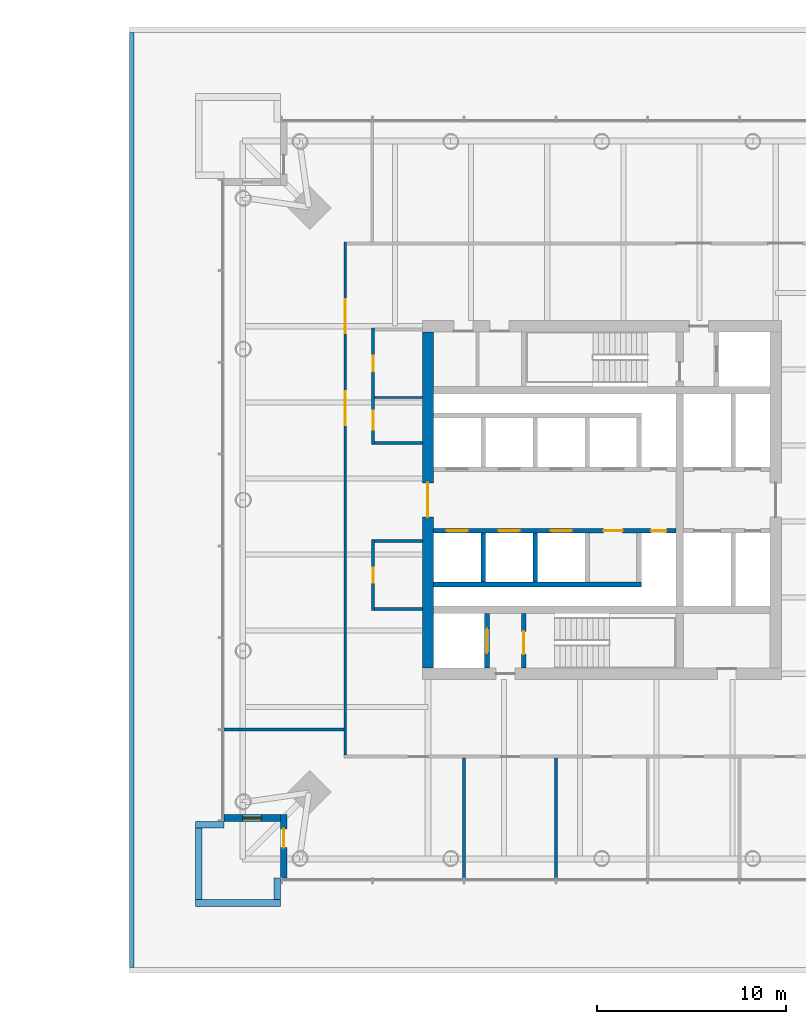
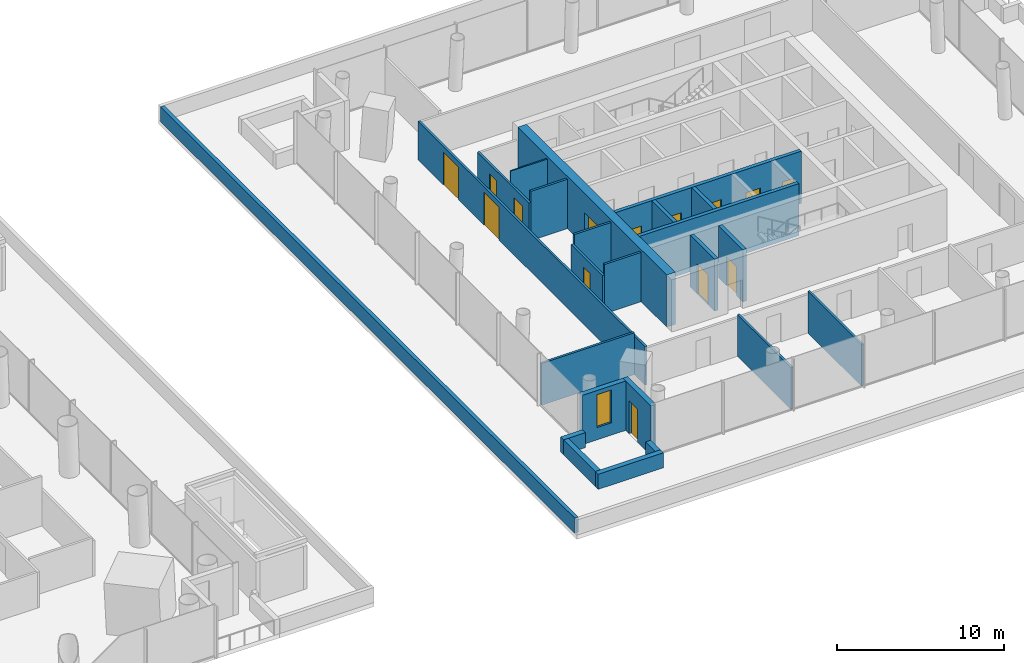
# One storey, part 13 of 19: 24 walls, 14 doors, 1 window, 15 openings.
"""IFC4 building model written with IfcOpenShell, lengths in metres."""

from ifc_helpers import new_model, si_unit, direction, frame, frame_2d, origin, place, context, subcontext, project, spatial, rectangle, extrude, material, layer, layer_set, type_object, element, fill, save


model = new_model("IFC4")

# Units and contexts
model_context = context("Model", 3, precision=1e-05, world=origin(), true_north=direction((0.0, 1.0)))
body_context = subcontext(model_context, "Body", "Model", "MODEL_VIEW")
ifc_project = project(units=[si_unit("LENGTHUNIT", "METRE"), si_unit("AREAUNIT", "SQUARE_METRE"), si_unit("VOLUMEUNIT", "CUBIC_METRE"), si_unit("PLANEANGLEUNIT", "RADIAN"), si_unit("MASSUNIT", "GRAM", prefix="KILO")], contexts=[model_context])

# Site, building, storey
site_placement = place(None, origin())
site = spatial("IfcSite", under=ifc_project, at=site_placement, CompositionType="ELEMENT")
building_placement = place(site_placement, origin())
building = spatial("IfcBuilding", under=site, at=building_placement, Name="Ostroluk Exchange", CompositionType="ELEMENT")
storey_placement = place(building_placement, frame((0.0, 0.0, 21.0)))
storey = spatial("IfcBuildingStorey", under=building, at=storey_placement, Name="L04", CompositionType="ELEMENT", Elevation=21.0)

# Wall
ifc_material_1 = material(Name="Concrete blockwork", Category="masonry")
ifc_layer_1 = layer(ifc_material_1, 0.10009765625)
ifc_layer_set_1 = layer_set([ifc_layer_1], Name="Blockwork WC wall 100")
wall_type_1 = type_object("IfcWallType", Name="Blockwork WC wall 100", PredefinedType="SOLIDWALL", material=ifc_layer_set_1)
wall_1_placement = place(storey_placement, frame((104.97509765625, 51.425048828125, 0.0), z_axis=(0.0, 0.0, 1.0), x_axis=(1.0, 0.0, 0.0)))
element("IfcWall", 1, at=wall_1_placement, inside=storey, type_object=wall_type_1, Name="Blockwork WC wall", PredefinedType="SOLIDWALL", context=body_context, shape_type="SweptSolid", body=[
    extrude(rectangle(XDim=2.52490234375, YDim=0.10009765625, at=frame_2d((1.262451171875, 0.0))), origin(), (0.0, 0.0, 1.0), 3.60009765625),
])

# Wall, opening, door
ifc_material_2 = material(Name="Concrete C40/50", Category="concrete")
ifc_layer_2 = layer(ifc_material_2, 0.25)
ifc_layer_set_2 = layer_set([ifc_layer_2], Name="Core shaft wall 250")
wall_type_2 = type_object("IfcWallType", Name="Core shaft wall 250", PredefinedType="SHEAR", material=ifc_layer_set_2)
wall_2_placement = place(storey_placement, frame((110.925048828125, 37.10009765625, 0.0), z_axis=(0.0, 0.0, 1.0), x_axis=(0.0, 1.0, 0.0)))
wall_2 = element("IfcWall", 2, at=wall_2_placement, inside=storey, type_object=wall_type_2, Name="Firefighting lift shaft wall", PredefinedType="SHEAR", context=body_context, shape_type="SweptSolid", body=[
    extrude(rectangle(XDim=2.89990234375, YDim=0.25, at=frame_2d((1.449951171875, 0.0))), origin(), (0.0, 0.0, 1.0), 3.800048828125),
])
opening_1_placement = place(wall_2_placement, frame((0.800048828125, 0.0, 0.0)))
opening_1 = element("IfcOpeningElement", 3, at=opening_1_placement, cuts=wall_2, Name="Opening LD2", PredefinedType="OPENING", context=body_context, shape_type="SweptSolid", body=[
    extrude(rectangle(XDim=1.300048828125, YDim=2.199951171875, at=frame_2d((0.64990234375, 1.10009765625))), frame((0.0, 0.135009765625, 0.0), z_axis=(0.0, -1.0, 0.0), x_axis=(1.0, 0.0, 0.0)), (0.0, 0.0, 1.0), 0.27001953125),
])
ifc_material_3 = material(Name="Stainless steel", Category="steel")
door_type_1 = type_object("IfcDoorType", Name="Lift landing door E 60 1300 x 2200", OperationType="DOUBLE_DOOR_SLIDING", PredefinedType="DOOR", material=ifc_material_3)
door_1_placement = place(opening_1_placement, origin())
door_1 = element("IfcDoor", 4, at=door_1_placement, inside=storey, type_object=door_type_1, Name="Lift HF1 landing door", OperationType="DOUBLE_DOOR_SLIDING", OverallHeight=2.199951171875, OverallWidth=1.300048828125, PredefinedType="DOOR", context=body_context, shape_type="SweptSolid", body=[
    extrude(rectangle(XDim=1.300048828125, YDim=2.199951171875, at=frame_2d((0.64990234375, 1.10009765625))), frame((0.0, 0.02490234375, 0.0), z_axis=(0.0, -1.0, 0.0), x_axis=(1.0, 0.0, 0.0)), (0.0, 0.0, 1.0), 0.050048828125),
])
fill(opening_1, door_1)

wall_3_placement = place(storey_placement, frame((112.875, 37.10009765625, 0.0), z_axis=(0.0, 0.0, 1.0), x_axis=(0.0, 1.0, 0.0)))
wall_3 = element("IfcWall", 5, at=wall_3_placement, inside=storey, type_object=wall_type_2, Name="Stair shaft wall", PredefinedType="SHEAR", context=body_context, shape_type="SweptSolid", body=[
    extrude(rectangle(XDim=2.89990234375, YDim=0.25, at=frame_2d((1.449951171875, 0.0))), origin(), (0.0, 0.0, 1.0), 3.800048828125),
])
opening_2_placement = place(wall_3_placement, frame((0.75, 0.0, 0.0)))
opening_2 = element("IfcOpeningElement", 6, at=opening_2_placement, cuts=wall_3, Name="Opening FD60S", PredefinedType="OPENING", context=body_context, shape_type="SweptSolid", body=[
    extrude(rectangle(XDim=1.199951171875, YDim=2.10009765625, at=frame_2d((0.60009765625, 1.050048828125))), frame((0.0, 0.135009765625, 0.0), z_axis=(0.0, -1.0, 0.0), x_axis=(1.0, 0.0, 0.0)), (0.0, 0.0, 1.0), 0.27001953125),
])
ifc_material_4 = material(Name="Steel", Category="steel")
door_type_2 = type_object("IfcDoorType", Name="Stair door EI 60 1200 x 2100", OperationType="SINGLE_SWING_LEFT", PredefinedType="DOOR", material=ifc_material_4)
door_2_placement = place(opening_2_placement, origin())
door_2 = element("IfcDoor", 7, at=door_2_placement, inside=storey, type_object=door_type_2, Name="Stair T2-S1 door", OperationType="SINGLE_SWING_LEFT", OverallHeight=2.10009765625, OverallWidth=1.199951171875, PredefinedType="DOOR", context=body_context, shape_type="SweptSolid", body=[
    extrude(rectangle(XDim=1.199951171875, YDim=2.10009765625, at=frame_2d((0.60009765625, 1.050048828125))), frame((0.0, 0.02490234375, 0.0), z_axis=(0.0, -1.0, 0.0), x_axis=(1.0, 0.0, 0.0)), (0.0, 0.0, 1.0), 0.050048828125),
])
fill(opening_2, door_2)

# Walls
for number, where, z_axis, x_axis, name in (
    (8, (110.72509765625, 44.25, 0.0), (0.0, 0.0, 1.0), (0.0, -1.0, 0.0), "Lift shaft wall"),
    (9, (113.47509765625, 44.25, 0.0), (0.0, 0.0, 1.0), (0.0, -1.0, 0.0), "Lift shaft wall"),
):
    element("IfcWall", number, at=place(storey_placement, frame(where, z_axis=z_axis, x_axis=x_axis)), inside=storey, type_object=wall_type_2, Name=name, PredefinedType="SHEAR", context=body_context, shape_type="SweptSolid", body=[
        extrude(rectangle(XDim=2.60009765625, YDim=0.25, at=frame_2d((1.300048828125, 0.0))), origin(), (0.0, 0.0, 1.0), 3.800048828125),
    ])
wall_4_placement = place(storey_placement, frame((108.10009765625, 41.52490234375, 0.0), z_axis=(0.0, 0.0, 1.0), x_axis=(1.0, 0.0, 0.0)))
element("IfcWall", 10, at=wall_4_placement, inside=storey, type_object=wall_type_2, Name="Lift shaft wall", PredefinedType="SHEAR", context=body_context, shape_type="SweptSolid", body=[
    extrude(rectangle(XDim=11.0, YDim=0.25, at=frame_2d((5.5, 0.0))), origin(), (0.0, 0.0, 1.0), 3.800048828125),
])

# Wall, openings, doors
wall_5_placement = place(storey_placement, frame((108.10009765625, 44.375, 0.0), z_axis=(0.0, 0.0, 1.0), x_axis=(1.0, 0.0, 0.0)))
wall_5 = element("IfcWall", 11, at=wall_5_placement, inside=storey, type_object=wall_type_2, Name="Lift shaft front wall", PredefinedType="SHEAR", context=body_context, shape_type="SweptSolid", body=[
    extrude(rectangle(XDim=12.829833984375, YDim=0.25, at=frame_2d((6.4150390625, 0.0))), origin(), (0.0, 0.0, 1.0), 3.800048828125),
])
opening_3_placement = place(wall_5_placement, frame((0.699951171875, 0.0, 0.0)))
opening_3 = element("IfcOpeningElement", 12, at=opening_3_placement, cuts=wall_5, Name="Opening LD", PredefinedType="OPENING", context=body_context, shape_type="SweptSolid", body=[
    extrude(rectangle(XDim=1.10009765625, YDim=2.199951171875, at=frame_2d((0.550048828125, 1.10009765625))), frame((0.0, 0.135009765625, 0.0), z_axis=(0.0, -1.0, 0.0), x_axis=(1.0, 0.0, 0.0)), (0.0, 0.0, 1.0), 0.27001953125),
])
opening_4_placement = place(wall_5_placement, frame((3.449951171875, 0.0, 0.0)))
opening_4 = element("IfcOpeningElement", 13, at=opening_4_placement, cuts=wall_5, Name="Opening LD", PredefinedType="OPENING", context=body_context, shape_type="SweptSolid", body=[
    extrude(rectangle(XDim=1.10009765625, YDim=2.199951171875, at=frame_2d((0.550048828125, 1.10009765625))), frame((0.0, 0.135009765625, 0.0), z_axis=(0.0, -1.0, 0.0), x_axis=(1.0, 0.0, 0.0)), (0.0, 0.0, 1.0), 0.27001953125),
])
opening_5_placement = place(wall_5_placement, frame((6.199951171875, 0.0, 0.0)))
opening_5 = element("IfcOpeningElement", 14, at=opening_5_placement, cuts=wall_5, Name="Opening LD", PredefinedType="OPENING", context=body_context, shape_type="SweptSolid", body=[
    extrude(rectangle(XDim=1.10009765625, YDim=2.199951171875, at=frame_2d((0.550048828125, 1.10009765625))), frame((0.0, 0.135009765625, 0.0), z_axis=(0.0, -1.0, 0.0), x_axis=(1.0, 0.0, 0.0)), (0.0, 0.0, 1.0), 0.27001953125),
])
opening_6_placement = place(wall_5_placement, frame((9.0, 0.0, 0.0)))
opening_6 = element("IfcOpeningElement", 15, at=opening_6_placement, cuts=wall_5, Name="Opening FD60", PredefinedType="OPENING", context=body_context, shape_type="SweptSolid", body=[
    extrude(rectangle(XDim=1.0, YDim=2.10009765625, at=frame_2d((0.5, 1.050048828125))), frame((0.0, 0.135009765625, 0.0), z_axis=(0.0, -1.0, 0.0), x_axis=(1.0, 0.0, 0.0)), (0.0, 0.0, 1.0), 0.27001953125),
])
opening_7_placement = place(wall_5_placement, frame((11.514892578125, 0.0, 0.0)))
opening_7 = element("IfcOpeningElement", 16, at=opening_7_placement, cuts=wall_5, Name="Opening RD60", PredefinedType="OPENING", context=body_context, shape_type="SweptSolid", body=[
    extrude(rectangle(XDim=0.800048828125, YDim=2.0, at=frame_2d((0.39990234375, 1.0))), frame((0.0, 0.135009765625, 0.0), z_axis=(0.0, -1.0, 0.0), x_axis=(1.0, 0.0, 0.0)), (0.0, 0.0, 1.0), 0.27001953125),
])
ifc_material_5 = material(Name="Steel", Category="steel")
door_type_3 = type_object("IfcDoorType", Name="Fire door EI 60 1000 x 2100", OperationType="SINGLE_SWING_LEFT", PredefinedType="DOOR", material=ifc_material_5)
door_3_placement = place(opening_6_placement, origin())
door_3 = element("IfcDoor", 17, at=door_3_placement, inside=storey, type_object=door_type_3, Name="Core room door", OperationType="SINGLE_SWING_RIGHT", OverallHeight=2.10009765625, OverallWidth=1.0, PredefinedType="DOOR", context=body_context, shape_type="SweptSolid", body=[
    extrude(rectangle(XDim=1.0, YDim=2.10009765625, at=frame_2d((0.5, 1.050048828125))), frame((0.0, 0.02490234375, 0.0), z_axis=(0.0, -1.0, 0.0), x_axis=(1.0, 0.0, 0.0)), (0.0, 0.0, 1.0), 0.050048828125),
])
fill(opening_6, door_3)
ifc_material_6 = material(Name="Stainless steel", Category="steel")
door_type_4 = type_object("IfcDoorType", Name="Lift landing door E 60 1100 x 2200", OperationType="DOUBLE_DOOR_SLIDING", PredefinedType="DOOR", material=ifc_material_6)
door_4_placement = place(opening_3_placement, origin())
door_4 = element("IfcDoor", 18, at=door_4_placement, inside=storey, type_object=door_type_4, Name="Lift HL5 landing door", OperationType="DOUBLE_DOOR_SLIDING", OverallHeight=2.199951171875, OverallWidth=1.10009765625, PredefinedType="DOOR", context=body_context, shape_type="SweptSolid", body=[
    extrude(rectangle(XDim=1.10009765625, YDim=2.199951171875, at=frame_2d((0.550048828125, 1.10009765625))), frame((0.0, 0.02490234375, 0.0), z_axis=(0.0, -1.0, 0.0), x_axis=(1.0, 0.0, 0.0)), (0.0, 0.0, 1.0), 0.050048828125),
])
fill(opening_3, door_4)
door_5_placement = place(opening_4_placement, origin())
door_5 = element("IfcDoor", 19, at=door_5_placement, inside=storey, type_object=door_type_4, Name="Lift HL6 landing door", OperationType="DOUBLE_DOOR_SLIDING", OverallHeight=2.199951171875, OverallWidth=1.10009765625, PredefinedType="DOOR", context=body_context, shape_type="SweptSolid", body=[
    extrude(rectangle(XDim=1.10009765625, YDim=2.199951171875, at=frame_2d((0.550048828125, 1.10009765625))), frame((0.0, 0.02490234375, 0.0), z_axis=(0.0, -1.0, 0.0), x_axis=(1.0, 0.0, 0.0)), (0.0, 0.0, 1.0), 0.050048828125),
])
fill(opening_4, door_5)
door_6_placement = place(opening_5_placement, origin())
door_6 = element("IfcDoor", 20, at=door_6_placement, inside=storey, type_object=door_type_4, Name="Lift HL7 landing door", OperationType="DOUBLE_DOOR_SLIDING", OverallHeight=2.199951171875, OverallWidth=1.10009765625, PredefinedType="DOOR", context=body_context, shape_type="SweptSolid", body=[
    extrude(rectangle(XDim=1.10009765625, YDim=2.199951171875, at=frame_2d((0.550048828125, 1.10009765625))), frame((0.0, 0.02490234375, 0.0), z_axis=(0.0, -1.0, 0.0), x_axis=(1.0, 0.0, 0.0)), (0.0, 0.0, 1.0), 0.050048828125),
])
fill(opening_5, door_6)
ifc_material_7 = material(Name="Steel", Category="steel")
door_type_5 = type_object("IfcDoorType", Name="Riser access door EI 60 800 x 2000", OperationType="SINGLE_SWING_LEFT", PredefinedType="DOOR", material=ifc_material_7)
door_7_placement = place(opening_7_placement, origin())
door_7 = element("IfcDoor", 21, at=door_7_placement, inside=storey, type_object=door_type_5, Name="Riser access door", OperationType="SINGLE_SWING_RIGHT", OverallHeight=2.0, OverallWidth=0.800048828125, PredefinedType="DOOR", context=body_context, shape_type="SweptSolid", body=[
    extrude(rectangle(XDim=0.800048828125, YDim=2.0, at=frame_2d((0.39990234375, 1.0))), frame((0.0, 0.02490234375, 0.0), z_axis=(0.0, -1.0, 0.0), x_axis=(1.0, 0.0, 0.0)), (0.0, 0.0, 1.0), 0.050048828125),
])
fill(opening_7, door_7)

# Wall, opening, door
ifc_material_8 = material(Name="Concrete C50/60", Category="concrete")
ifc_layer_3 = layer(ifc_material_8, 0.60009765625)
ifc_layer_set_3 = layer_set([ifc_layer_3], Name="Core wall 600 C50/60")
wall_type_3 = type_object("IfcWallType", Name="Core wall 600 C50/60", PredefinedType="SHEAR", material=ifc_layer_set_3)
wall_6_placement = place(storey_placement, frame((107.800048828125, 37.10009765625, 0.0), z_axis=(0.0, 0.0, 1.0), x_axis=(0.0, 1.0, 0.0)))
wall_6 = element("IfcWall", 22, at=wall_6_placement, inside=storey, type_object=wall_type_3, Name="T2 core wall W", PredefinedType="SHEAR", context=body_context, shape_type="SweptSolid", body=[
    extrude(rectangle(XDim=17.7998046875, YDim=0.60009765625, at=frame_2d((8.89990234375, 0.0))), origin(), (0.0, 0.0, 1.0), 3.800048828125),
])
opening_8_placement = place(wall_6_placement, frame((8.0, 0.0, 0.0)))
opening_8 = element("IfcOpeningElement", 23, at=opening_8_placement, cuts=wall_6, Name="Opening FD30D", PredefinedType="OPENING", context=body_context, shape_type="SweptSolid", body=[
    extrude(rectangle(XDim=1.800048828125, YDim=2.39990234375, at=frame_2d((0.89990234375, 1.199951171875))), frame((0.0, 0.31005859375, 0.0), z_axis=(0.0, -1.0, 0.0), x_axis=(1.0, 0.0, 0.0)), (0.0, 0.0, 1.0), 0.6201171875),
])
ifc_material_9 = material(Name="Timber", Category="wood")
door_type_6 = type_object("IfcDoorType", Name="Lobby double door EI 30 1800 x 2400", OperationType="DOUBLE_DOOR_SINGLE_SWING", PredefinedType="DOOR", material=ifc_material_9)
door_8_placement = place(opening_8_placement, origin())
door_8 = element("IfcDoor", 24, at=door_8_placement, inside=storey, type_object=door_type_6, Name="Lift lobby doors", OperationType="DOUBLE_DOOR_SINGLE_SWING", OverallHeight=2.39990234375, OverallWidth=1.800048828125, PredefinedType="DOOR", context=body_context, shape_type="SweptSolid", body=[
    extrude(rectangle(XDim=1.800048828125, YDim=2.39990234375, at=frame_2d((0.89990234375, 1.199951171875))), frame((0.0, 0.02490234375, 0.0), z_axis=(0.0, -1.0, 0.0), x_axis=(1.0, 0.0, 0.0)), (0.0, 0.0, 1.0), 0.050048828125),
])
fill(opening_8, door_8)

# Wall
ifc_material_10 = material(Name="Limestone", Category="masonry")
ifc_layer_4 = layer(ifc_material_10, 0.25)
ifc_layer_set_4 = layer_set([ifc_layer_4], Name="Green roof parapet 250")
wall_type_4 = type_object("IfcWallType", Name="Green roof parapet 250", PredefinedType="PARAPET", material=ifc_layer_set_4)
wall_7_placement = place(storey_placement, frame((92.125, 21.25, 0.0), z_axis=(0.0, 0.0, 1.0), x_axis=(0.0, 1.0, 0.0)))
element("IfcWall", 25, at=wall_7_placement, inside=storey, type_object=wall_type_4, Name="Green roof parapet L04 2", PredefinedType="PARAPET", context=body_context, shape_type="SweptSolid", body=[
    extrude(rectangle(XDim=49.5, YDim=0.25, at=frame_2d((24.75, 0.0))), origin(), (0.0, 0.0, 1.0), 1.10009765625),
])

# Wall, opening, door
ifc_material_11 = material(Name="Limestone", Category="masonry")
ifc_layer_5 = layer(ifc_material_11, 0.35009765625)
ifc_layer_set_5 = layer_set([ifc_layer_5], Name="Limestone facade wall 350")
wall_type_5 = type_object("IfcWallType", Name="Limestone facade wall 350", PredefinedType="SOLIDWALL", material=ifc_layer_set_5)
wall_8_placement = place(storey_placement, frame((100.175048828125, 26.0, 0.0), z_axis=(0.0, 0.0, 1.0), x_axis=(0.0, 1.0, 0.0)))
wall_8 = element("IfcWall", 26, at=wall_8_placement, inside=storey, type_object=wall_type_5, Name="Hotel tower SW corner wall L04 a", PredefinedType="SOLIDWALL", context=body_context, shape_type="SweptSolid", body=[
    extrude(rectangle(XDim=3.35009765625, YDim=0.35009765625, at=frame_2d((1.675048828125, 0.0))), origin(), (0.0, 0.0, 1.0), 3.60009765625),
])
opening_9_placement = place(wall_8_placement, frame((1.60009765625, 0.0, 0.0)))
opening_9 = element("IfcOpeningElement", 27, at=opening_9_placement, cuts=wall_8, Name="Opening D-B1", PredefinedType="OPENING", context=body_context, shape_type="SweptSolid", body=[
    extrude(rectangle(XDim=1.0, YDim=2.39990234375, at=frame_2d((0.5, 1.199951171875))), frame((0.0, 0.18505859375, 0.0), z_axis=(0.0, -1.0, 0.0), x_axis=(1.0, 0.0, 0.0)), (0.0, 0.0, 1.0), 0.3701171875),
])
ifc_material_12 = material(Name="Bronze framed glazed door", Category="aluminium")
door_type_7 = type_object("IfcDoorType", Name="Balcony door 1000 x 2400", OperationType="SINGLE_SWING_LEFT", PredefinedType="DOOR", material=ifc_material_12)
door_9_placement = place(opening_9_placement, origin())
door_9 = element("IfcDoor", 28, at=door_9_placement, inside=storey, type_object=door_type_7, Name="Hotel tower SW balcony door L04", OperationType="SINGLE_SWING_RIGHT", OverallHeight=2.39990234375, OverallWidth=1.0, PredefinedType="DOOR", context=body_context, shape_type="SweptSolid", body=[
    extrude(rectangle(XDim=1.0, YDim=2.39990234375, at=frame_2d((0.5, 1.199951171875))), frame((0.0, 0.02490234375, 0.0), z_axis=(0.0, -1.0, 0.0), x_axis=(1.0, 0.0, 0.0)), (0.0, 0.0, 1.0), 0.050048828125),
])
fill(opening_9, door_9)

# Wall, opening, window
wall_9_placement = place(storey_placement, frame((100.0, 29.175048828125, 0.0), z_axis=(0.0, 0.0, 1.0), x_axis=(-1.0, 0.0, 0.0)))
wall_9 = element("IfcWall", 29, at=wall_9_placement, inside=storey, type_object=wall_type_5, Name="Hotel tower SW corner wall L04 b", PredefinedType="SOLIDWALL", context=body_context, shape_type="SweptSolid", body=[
    extrude(rectangle(XDim=3.0, YDim=0.35009765625, at=frame_2d((1.5, 0.0))), origin(), (0.0, 0.0, 1.0), 3.60009765625),
])
opening_10_placement = place(wall_9_placement, frame((1.0, 0.0, 0.89990234375)))
opening_10 = element("IfcOpeningElement", 30, at=opening_10_placement, cuts=wall_9, Name="Opening WN-L3", PredefinedType="OPENING", context=body_context, shape_type="SweptSolid", body=[
    extrude(rectangle(XDim=1.0, YDim=2.39990234375, at=frame_2d((0.5, 1.199951171875))), frame((0.0, 0.18505859375, 0.0), z_axis=(0.0, -1.0, 0.0), x_axis=(1.0, 0.0, 0.0)), (0.0, 0.0, 1.0), 0.3701171875),
])
ifc_material_13 = material(Name="Laminated clear glass", Category="glass")
window_type = type_object("IfcWindowType", Name="Hotel lancet window 1000 x 2400", PartitioningType="SINGLE_PANEL", PredefinedType="WINDOW", material=ifc_material_13)
window_placement = place(opening_10_placement, origin())
window = element("IfcWindow", 31, at=window_placement, inside=storey, type_object=window_type, Name="Hotel tower SW lancet window L04", OverallHeight=2.39990234375, OverallWidth=1.0, PartitioningType="SINGLE_PANEL", PredefinedType="WINDOW", context=body_context, shape_type="SweptSolid", body=[
    extrude(rectangle(XDim=1.0, YDim=2.39990234375, at=frame_2d((0.5, 1.199951171875))), frame((0.0, 0.030029296875, 0.0), z_axis=(0.0, -1.0, 0.0), x_axis=(1.0, 0.0, 0.0)), (0.0, 0.0, 1.0), 0.06005859375),
])
fill(opening_10, window)

# Walls
ifc_material_14 = material(Name="Limestone", Category="masonry")
ifc_layer_6 = layer(ifc_material_14, 0.35009765625)
ifc_layer_set_6 = layer_set([ifc_layer_6], Name="Planter wall 350")
wall_type_6 = type_object("IfcWallType", Name="Planter wall 350", PredefinedType="PARAPET", material=ifc_layer_set_6)
wall_10_placement = place(storey_placement, frame((95.5, 24.675048828125, 0.0), z_axis=(0.0, 0.0, 1.0), x_axis=(1.0, 0.0, 0.0)))
element("IfcWall", 32, at=wall_10_placement, inside=storey, type_object=wall_type_6, Name="Terrace planter wall L04 1", PredefinedType="PARAPET", context=body_context, shape_type="SweptSolid", body=[
    extrude(rectangle(XDim=4.5, YDim=0.35009765625, at=frame_2d((2.25, 0.0))), origin(), (0.0, 0.0, 1.0), 1.10009765625),
])
wall_11_placement = place(storey_placement, frame((95.675048828125, 24.85009765625, 0.0), z_axis=(0.0, 0.0, 1.0), x_axis=(0.0, 1.0, 0.0)))
element("IfcWall", 33, at=wall_11_placement, inside=storey, type_object=wall_type_6, Name="Terrace planter wall L04 2", PredefinedType="PARAPET", context=body_context, shape_type="SweptSolid", body=[
    extrude(rectangle(XDim=3.7998046875, YDim=0.35009765625, at=frame_2d((1.89990234375, 0.0))), origin(), (0.0, 0.0, 1.0), 1.10009765625),
])
wall_12_placement = place(storey_placement, frame((95.5, 28.824951171875, 0.0), z_axis=(0.0, 0.0, 1.0), x_axis=(1.0, 0.0, 0.0)))
element("IfcWall", 34, at=wall_12_placement, inside=storey, type_object=wall_type_6, Name="Terrace planter wall L04 3", PredefinedType="PARAPET", context=body_context, shape_type="SweptSolid", body=[
    extrude(rectangle(XDim=1.510009765625, YDim=0.35009765625, at=frame_2d((0.7548828125, 0.0))), origin(), (0.0, 0.0, 1.0), 1.10009765625),
])
wall_13_placement = place(storey_placement, frame((99.824951171875, 24.85009765625, 0.0), z_axis=(0.0, 0.0, 1.0), x_axis=(0.0, 1.0, 0.0)))
element("IfcWall", 35, at=wall_13_placement, inside=storey, type_object=wall_type_6, Name="Terrace planter wall L04 4", PredefinedType="PARAPET", context=body_context, shape_type="SweptSolid", body=[
    extrude(rectangle(XDim=1.159912109375, YDim=0.35009765625, at=frame_2d((0.580078125, 0.0))), origin(), (0.0, 0.0, 1.0), 1.10009765625),
])

# Wall, openings, doors
ifc_material_15 = material(Name="Gypsum plasterboard partition", Category="gypsum")
ifc_layer_7 = layer(ifc_material_15, 0.14990234375)
ifc_layer_set_7 = layer_set([ifc_layer_7], Name="Plasterboard partition 150")
wall_type_7 = type_object("IfcWallType", Name="Plasterboard partition 150", PredefinedType="PARTITIONING", material=ifc_layer_set_7)
wall_14_placement = place(storey_placement, frame((103.425048828125, 59.64990234375, 0.0), z_axis=(0.0, 0.0, 1.0), x_axis=(0.0, -1.0, 0.0)))
wall_14 = element("IfcWall", 36, at=wall_14_placement, inside=storey, type_object=wall_type_7, Name="Partition", PredefinedType="PARTITIONING", context=body_context, shape_type="SweptSolid", body=[
    extrude(rectangle(XDim=27.14990234375, YDim=0.14990234375, at=frame_2d((13.574951171875, 0.0))), origin(), (0.0, 0.0, 1.0), 2.800048828125),
])
opening_11_placement = place(wall_14_placement, frame((3.03564453125, 0.0, 0.0)))
opening_11 = element("IfcOpeningElement", 37, at=opening_11_placement, cuts=wall_14, Name="Opening D-04", PredefinedType="OPENING", context=body_context, shape_type="SweptSolid", body=[
    extrude(rectangle(XDim=1.800048828125, YDim=2.39990234375, at=frame_2d((0.89990234375, 1.199951171875))), frame((0.0, 0.0849609375, 0.0), z_axis=(0.0, -1.0, 0.0), x_axis=(1.0, 0.0, 0.0)), (0.0, 0.0, 1.0), 0.169921875),
])
opening_12_placement = place(wall_14_placement, frame((7.892822265625, 0.0, 0.0)))
opening_12 = element("IfcOpeningElement", 38, at=opening_12_placement, cuts=wall_14, Name="Opening D-04", PredefinedType="OPENING", context=body_context, shape_type="SweptSolid", body=[
    extrude(rectangle(XDim=1.800048828125, YDim=2.39990234375, at=frame_2d((0.89990234375, 1.199951171875))), frame((0.0, 0.0849609375, 0.0), z_axis=(0.0, -1.0, 0.0), x_axis=(1.0, 0.0, 0.0)), (0.0, 0.0, 1.0), 0.169921875),
])
ifc_material_16 = material(Name="Timber", Category="wood")
door_type_8 = type_object("IfcDoorType", Name="Double door 1800 x 2400", OperationType="DOUBLE_DOOR_SINGLE_SWING", PredefinedType="DOOR", material=ifc_material_16)
door_10_placement = place(opening_11_placement, origin())
door_10 = element("IfcDoor", 39, at=door_10_placement, inside=storey, type_object=door_type_8, Name="Fitness centre door", OperationType="DOUBLE_DOOR_SINGLE_SWING", OverallHeight=2.39990234375, OverallWidth=1.800048828125, PredefinedType="DOOR", context=body_context, shape_type="SweptSolid", body=[
    extrude(rectangle(XDim=1.800048828125, YDim=2.39990234375, at=frame_2d((0.89990234375, 1.199951171875))), frame((0.0, 0.02490234375, 0.0), z_axis=(0.0, -1.0, 0.0), x_axis=(1.0, 0.0, 0.0)), (0.0, 0.0, 1.0), 0.050048828125),
])
fill(opening_11, door_10)
door_11_placement = place(opening_12_placement, origin())
door_11 = element("IfcDoor", 40, at=door_11_placement, inside=storey, type_object=door_type_8, Name="Fitness centre door", OperationType="DOUBLE_DOOR_SINGLE_SWING", OverallHeight=2.39990234375, OverallWidth=1.800048828125, PredefinedType="DOOR", context=body_context, shape_type="SweptSolid", body=[
    extrude(rectangle(XDim=1.800048828125, YDim=2.39990234375, at=frame_2d((0.89990234375, 1.199951171875))), frame((0.0, 0.02490234375, 0.0), z_axis=(0.0, -1.0, 0.0), x_axis=(1.0, 0.0, 0.0)), (0.0, 0.0, 1.0), 0.050048828125),
])
fill(opening_12, door_11)

# Walls
for number, where, z_axis, x_axis, name in (
    (41, (103.35009765625, 33.857177734375, 0.0), (0.0, 0.0, 1.0), (-1.0, 0.0, 0.0), "Partition"),
    (42, (109.71435546875, 32.35009765625, 0.0), (0.0, 0.0, 1.0), (0.0, -1.0, 0.0), "Partition"),
    (43, (114.571533203125, 32.35009765625, 0.0), (0.0, 0.0, 1.0), (0.0, -1.0, 0.0), "Partition"),
):
    element("IfcWall", number, at=place(storey_placement, frame(where, z_axis=z_axis, x_axis=x_axis)), inside=storey, type_object=wall_type_7, Name=name, PredefinedType="PARTITIONING", context=body_context, shape_type="SweptSolid", body=[
        extrude(rectangle(XDim=6.39013671875, YDim=0.14990234375, at=frame_2d((3.195068359375, 0.0))), origin(), (0.0, 0.0, 1.0), 3.050048828125),
    ])

# Wall, openings, doors
ifc_material_17 = material(Name="Gypsum plasterboard partition, moisture resistant", Category="gypsum")
ifc_layer_8 = layer(ifc_material_17, 0.14990234375)
ifc_layer_set_8 = layer_set([ifc_layer_8], Name="Plasterboard toilet partition 150")
wall_type_8 = type_object("IfcWallType", Name="Plasterboard toilet partition 150", PredefinedType="PARTITIONING", material=ifc_layer_set_8)
wall_15_placement = place(storey_placement, frame((104.89990234375, 55.10009765625, 0.0), z_axis=(0.0, 0.0, 1.0), x_axis=(0.0, -1.0, 0.0)))
wall_15 = element("IfcWall", 44, at=wall_15_placement, inside=storey, type_object=wall_type_8, Name="Toilet partition", PredefinedType="PARTITIONING", context=body_context, shape_type="SweptSolid", body=[
    extrude(rectangle(XDim=6.150146484375, YDim=0.14990234375, at=frame_2d((3.0751953125, 0.0))), origin(), (0.0, 0.0, 1.0), 2.800048828125),
])
opening_13_placement = place(wall_15_placement, frame((1.47509765625, 0.0, 0.0)))
opening_13 = element("IfcOpeningElement", 45, at=opening_13_placement, cuts=wall_15, Name="Opening D-06", PredefinedType="OPENING", context=body_context, shape_type="SweptSolid", body=[
    extrude(rectangle(XDim=0.800048828125, YDim=2.10009765625, at=frame_2d((0.39990234375, 1.050048828125))), frame((0.0, 0.0849609375, 0.0), z_axis=(0.0, -1.0, 0.0), x_axis=(1.0, 0.0, 0.0)), (0.0, 0.0, 1.0), 0.169921875),
])
opening_14_placement = place(wall_15_placement, frame((4.375, 0.0, 0.0)))
opening_14 = element("IfcOpeningElement", 46, at=opening_14_placement, cuts=wall_15, Name="Opening D-03", PredefinedType="OPENING", context=body_context, shape_type="SweptSolid", body=[
    extrude(rectangle(XDim=1.0, YDim=2.10009765625, at=frame_2d((0.5, 1.050048828125))), frame((0.0, 0.0849609375, 0.0), z_axis=(0.0, -1.0, 0.0), x_axis=(1.0, 0.0, 0.0)), (0.0, 0.0, 1.0), 0.169921875),
])
ifc_material_18 = material(Name="Timber", Category="wood")
door_type_9 = type_object("IfcDoorType", Name="Internal door 1000 x 2100", OperationType="SINGLE_SWING_LEFT", PredefinedType="DOOR", material=ifc_material_18)
door_12_placement = place(opening_14_placement, origin())
door_12 = element("IfcDoor", 47, at=door_12_placement, inside=storey, type_object=door_type_9, Name="Accessible WC door", OperationType="SINGLE_SWING_RIGHT", OverallHeight=2.10009765625, OverallWidth=1.0, PredefinedType="DOOR", context=body_context, shape_type="SweptSolid", body=[
    extrude(rectangle(XDim=1.0, YDim=2.10009765625, at=frame_2d((0.5, 1.050048828125))), frame((0.0, 0.02490234375, 0.0), z_axis=(0.0, -1.0, 0.0), x_axis=(1.0, 0.0, 0.0)), (0.0, 0.0, 1.0), 0.050048828125),
])
fill(opening_14, door_12)
ifc_material_19 = material(Name="Timber", Category="wood")
door_type_10 = type_object("IfcDoorType", Name="Toilet door 800 x 2100", OperationType="SINGLE_SWING_LEFT", PredefinedType="DOOR", material=ifc_material_19)
door_13_placement = place(opening_13_placement, origin())
door_13 = element("IfcDoor", 48, at=door_13_placement, inside=storey, type_object=door_type_10, Name="WC female door", OperationType="SINGLE_SWING_LEFT", OverallHeight=2.10009765625, OverallWidth=0.800048828125, PredefinedType="DOOR", context=body_context, shape_type="SweptSolid", body=[
    extrude(rectangle(XDim=0.800048828125, YDim=2.10009765625, at=frame_2d((0.39990234375, 1.050048828125))), frame((0.0, 0.02490234375, 0.0), z_axis=(0.0, -1.0, 0.0), x_axis=(1.0, 0.0, 0.0)), (0.0, 0.0, 1.0), 0.050048828125),
])
fill(opening_13, door_13)

# Wall
wall_16_placement = place(storey_placement, frame((104.97509765625, 49.02490234375, 0.0), z_axis=(0.0, 0.0, 1.0), x_axis=(1.0, 0.0, 0.0)))
element("IfcWall", 49, at=wall_16_placement, inside=storey, type_object=wall_type_8, Name="Toilet partition", PredefinedType="PARTITIONING", context=body_context, shape_type="SweptSolid", body=[
    extrude(rectangle(XDim=2.52490234375, YDim=0.14990234375, at=frame_2d((1.262451171875, 0.0))), origin(), (0.0, 0.0, 1.0), 3.60009765625),
])

# Wall, opening, door
wall_17_placement = place(storey_placement, frame((104.89990234375, 43.89990234375, 0.0), z_axis=(0.0, 0.0, 1.0), x_axis=(0.0, -1.0, 0.0)))
wall_17 = element("IfcWall", 50, at=wall_17_placement, inside=storey, type_object=wall_type_8, Name="Toilet partition", PredefinedType="PARTITIONING", context=body_context, shape_type="SweptSolid", body=[
    extrude(rectangle(XDim=3.75, YDim=0.14990234375, at=frame_2d((1.875, 0.0))), origin(), (0.0, 0.0, 1.0), 2.846923828125),
])
opening_15_placement = place(wall_17_placement, frame((1.47509765625, 0.0, 0.0)))
opening_15 = element("IfcOpeningElement", 51, at=opening_15_placement, cuts=wall_17, Name="Opening D-06", PredefinedType="OPENING", context=body_context, shape_type="SweptSolid", body=[
    extrude(rectangle(XDim=0.800048828125, YDim=2.10009765625, at=frame_2d((0.39990234375, 1.050048828125))), frame((0.0, 0.0849609375, 0.0), z_axis=(0.0, -1.0, 0.0), x_axis=(1.0, 0.0, 0.0)), (0.0, 0.0, 1.0), 0.169921875),
])
door_14_placement = place(opening_15_placement, origin())
door_14 = element("IfcDoor", 52, at=door_14_placement, inside=storey, type_object=door_type_10, Name="WC male door", OperationType="SINGLE_SWING_RIGHT", OverallHeight=2.10009765625, OverallWidth=0.800048828125, PredefinedType="DOOR", context=body_context, shape_type="SweptSolid", body=[
    extrude(rectangle(XDim=0.800048828125, YDim=2.10009765625, at=frame_2d((0.39990234375, 1.050048828125))), frame((0.0, 0.02490234375, 0.0), z_axis=(0.0, -1.0, 0.0), x_axis=(1.0, 0.0, 0.0)), (0.0, 0.0, 1.0), 0.050048828125),
])
fill(opening_15, door_14)

# Walls
for number, where, z_axis, x_axis, name in (
    (53, (104.97509765625, 43.824951171875, 0.0), (0.0, 0.0, 1.0), (1.0, 0.0, 0.0), "Toilet partition"),
    (54, (104.97509765625, 40.22509765625, 0.0), (0.0, 0.0, 1.0), (1.0, 0.0, 0.0), "Toilet partition"),
):
    element("IfcWall", number, at=place(storey_placement, frame(where, z_axis=z_axis, x_axis=x_axis)), inside=storey, type_object=wall_type_8, Name=name, PredefinedType="PARTITIONING", context=body_context, shape_type="SweptSolid", body=[
        extrude(rectangle(XDim=2.52490234375, YDim=0.14990234375, at=frame_2d((1.262451171875, 0.0))), origin(), (0.0, 0.0, 1.0), 3.60009765625),
    ])

save(model, "model.ifc")
